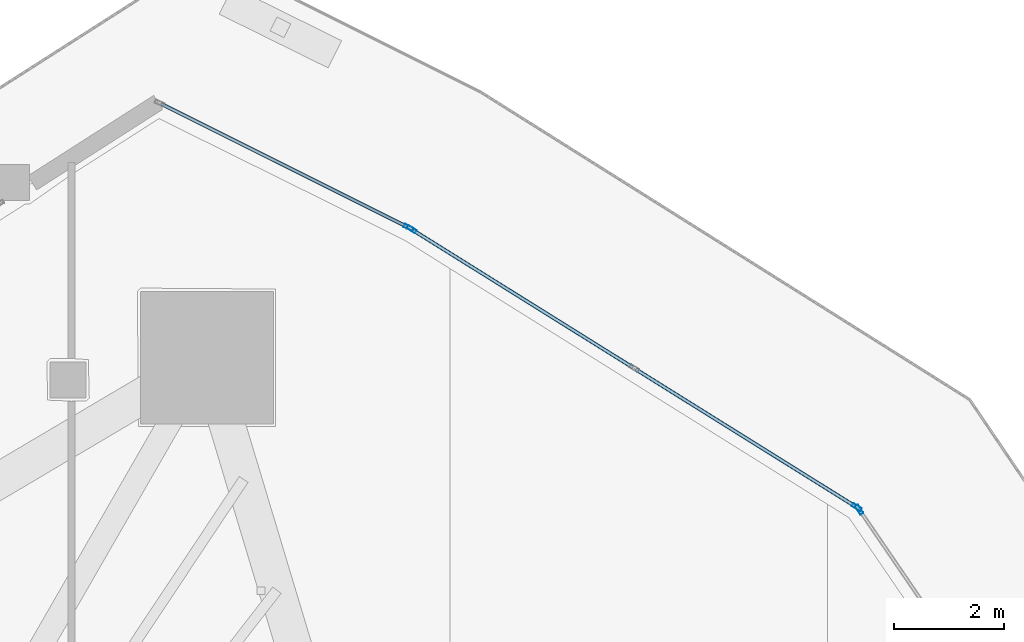
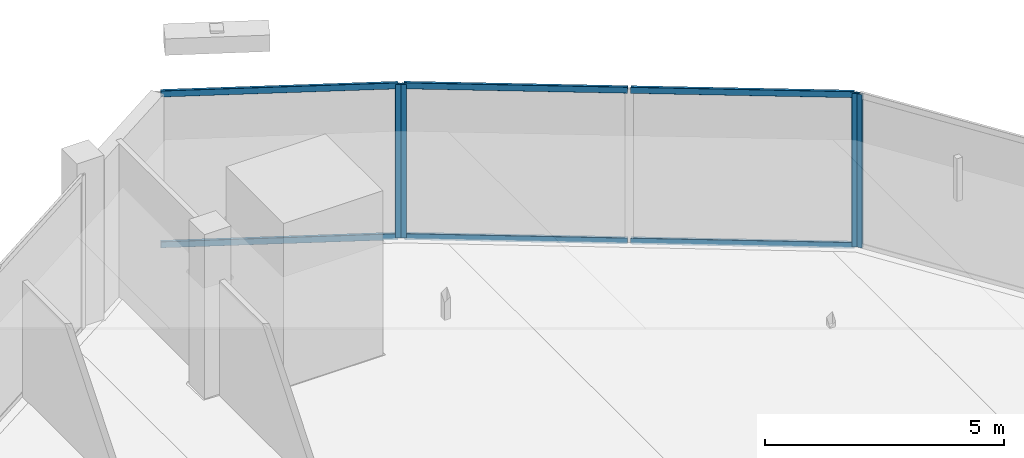
# One storey, part 25 of 46: 10 members, 3 elements without a shape of their own.
"""IFC4 building model written with IfcOpenShell, lengths in metres."""

from ifc_helpers import new_model, si_unit, direction, frame, origin, origin_2d, place, context, subcontext, project, spatial, hollow_rectangle, extrude, material, layer, layer_set, material_profile, profile_set, type_object, element, aggregate, save


model = new_model("IFC4")

# Units and contexts
model_context = context("Model", 3, precision=1e-05, world=origin(), true_north=direction((0.0, 1.0)))
body_context = subcontext(model_context, "Body", "Model", "MODEL_VIEW")
ifc_project = project(units=[si_unit("LENGTHUNIT", "METRE"), si_unit("AREAUNIT", "SQUARE_METRE"), si_unit("VOLUMEUNIT", "CUBIC_METRE"), si_unit("PLANEANGLEUNIT", "RADIAN"), si_unit("MASSUNIT", "GRAM", prefix="KILO")], contexts=[model_context])

# Site, building, storey
site_placement = place(None, origin())
site = spatial("IfcSite", under=ifc_project, at=site_placement, CompositionType="ELEMENT")
building_placement = place(site_placement, origin())
building = spatial("IfcBuilding", under=site, at=building_placement, Name="Qorvath Tower", CompositionType="ELEMENT")
storey_placement = place(building_placement, frame((0.0, 0.0, 87.0)))
storey = spatial("IfcBuildingStorey", under=building, at=storey_placement, Name="L19", CompositionType="ELEMENT", Elevation=87.0)

# Curtain wall, member
ifc_material_1 = material(Name="Anodised aluminium and triple low-E glass", Category="aluminium")
ifc_layer = layer(ifc_material_1, 0.179931640625)
ifc_layer_set = layer_set([ifc_layer], Name="CW-SYS-2")
curtain_wall_type = type_object("IfcCurtainWallType", Name="CW-SYS-2", PredefinedType="NOTDEFINED", material=ifc_layer_set)
curtain_wall_1_placement = place(storey_placement, origin())
curtain_wall_1 = element("IfcCurtainWall", 1, at=curtain_wall_1_placement, inside=storey, type_object=curtain_wall_type, Name="Curtain Wall CW-2 CW-T-L19-13.1", PredefinedType="NOTDEFINED")
ifc_material_2 = material(Name="Anodised aluminium 6063-T6", Category="aluminium")
ifc_material_profile_1 = material_profile(ifc_material_2, hollow_rectangle(XDim=0.06494140625, YDim=0.179931640625, WallThickness=0.00341796875, InnerFilletRadius=0.00341796875, OuterFilletRadius=0.007080078125, at=origin_2d()), Name="CWM 180x65")
ifc_profile_set_1 = profile_set([ifc_material_profile_1], Name="Anodised aluminium 6063-T6")
member_type_1 = type_object("IfcMemberType", Name="CWM-180", PredefinedType="MULLION", material=ifc_profile_set_1)
member_1_placement = place(storey_placement, frame((-2.65087890625, 24.5771484375, 0.0), z_axis=(0.0, 0.0, 1.0), x_axis=(-0.825750255931, -0.564035916259, 0.0)))
member_1 = element("IfcMember", 2, at=member_1_placement, type_object=member_type_1, Name="CW-2 mullion 2", PredefinedType="MULLION", context=body_context, shape_type="SweptSolid", body=[
    extrude(hollow_rectangle(XDim=0.06494140625, YDim=0.179931640625, WallThickness=0.00341796875, InnerFilletRadius=0.00341796875, OuterFilletRadius=0.007080078125, at=origin_2d()), origin(), (0.0, 0.0, 1.0), 3.919921875),
])
aggregate(curtain_wall_1, [member_1])

# Curtain wall, members
curtain_wall_2_placement = place(storey_placement, origin())
curtain_wall_2 = element("IfcCurtainWall", 3, at=curtain_wall_2_placement, inside=storey, type_object=curtain_wall_type, Name="Curtain Wall CW-2 CW-T-L19-14.1", PredefinedType="NOTDEFINED")
member_2_placement = place(storey_placement, frame((-2.69677734375, 24.62109375, 0.0), z_axis=(0.0, 0.0, 1.0), x_axis=(-0.529624942243, -0.848231937947, 0.0)))
member_2 = element("IfcMember", 4, at=member_2_placement, type_object=member_type_1, Name="CW-2 mullion 1", PredefinedType="MULLION", context=body_context, shape_type="SweptSolid", body=[
    extrude(hollow_rectangle(XDim=0.06494140625, YDim=0.179931640625, WallThickness=0.00341796875, InnerFilletRadius=0.00341796875, OuterFilletRadius=0.007080078125, at=origin_2d()), origin(), (0.0, 0.0, 1.0), 3.919921875),
])
member_3_placement = place(storey_placement, frame((-10.756591796875, 29.65380859375, 0.0), z_axis=(0.0, 0.0, 1.0), x_axis=(-0.529624942243, -0.848231937947, 0.0)))
member_3 = element("IfcMember", 5, at=member_3_placement, type_object=member_type_1, Name="CW-2 mullion 3", PredefinedType="MULLION", context=body_context, shape_type="SweptSolid", body=[
    extrude(hollow_rectangle(XDim=0.06494140625, YDim=0.179931640625, WallThickness=0.00341796875, InnerFilletRadius=0.00341796875, OuterFilletRadius=0.007080078125, at=origin_2d()), origin(), (0.0, 0.0, 1.0), 3.919921875),
])

# Curtain wall, member
curtain_wall_3_placement = place(storey_placement, origin())
curtain_wall_3 = element("IfcCurtainWall", 6, at=curtain_wall_3_placement, inside=storey, type_object=curtain_wall_type, Name="Curtain Wall CW-2 CW-T-L19-15.1", PredefinedType="NOTDEFINED")
member_4_placement = place(storey_placement, frame((-10.813232421875, 29.685546875, 0.0), z_axis=(0.0, 0.0, 1.0), x_axis=(-0.447190081713, -0.894438947507, 0.0)))
member_4 = element("IfcMember", 7, at=member_4_placement, type_object=member_type_1, Name="CW-2 mullion 1", PredefinedType="MULLION", context=body_context, shape_type="SweptSolid", body=[
    extrude(hollow_rectangle(XDim=0.06494140625, YDim=0.179931640625, WallThickness=0.00341796875, InnerFilletRadius=0.00341796875, OuterFilletRadius=0.007080078125, at=origin_2d()), origin(), (0.0, 0.0, 1.0), 3.919921875),
])

# Member
ifc_material_3 = material(Name="Anodised aluminium 6063-T6", Category="aluminium")
ifc_material_profile_2 = material_profile(ifc_material_3, hollow_rectangle(XDim=0.06494140625, YDim=0.159912109375, WallThickness=0.00341796875, InnerFilletRadius=0.00341796875, OuterFilletRadius=0.007080078125, at=origin_2d()), Name="CWT 160x65")
ifc_profile_set_2 = profile_set([ifc_material_profile_2], Name="Anodised aluminium 6063-T6")
member_type_2 = type_object("IfcMemberType", Name="CWT-160", PredefinedType="USERDEFINED", material=ifc_profile_set_2)
member_5_placement = place(storey_placement, frame((-2.724365234375, 24.638427734375, 0.032470703125), z_axis=(-0.848247004733, 0.529600810952, 0.0), x_axis=(-0.529600810952, -0.848247004733, 0.0)))
member_5 = element("IfcMember", 8, at=member_5_placement, type_object=member_type_2, Name="CW-2 transom 1.1", ObjectType="TRANSOM", PredefinedType="USERDEFINED", context=body_context, shape_type="SweptSolid", body=[
    extrude(hollow_rectangle(XDim=0.06494140625, YDim=0.159912109375, WallThickness=0.00341796875, InnerFilletRadius=0.00341796875, OuterFilletRadius=0.007080078125, at=origin_2d()), origin(), (0.0, 0.0, 1.0), 4.68603515625),
])

member_6_placement = place(storey_placement, frame((-2.724365234375, 24.638427734375, 3.887451171875), z_axis=(-0.848247004733, 0.529600810952, 0.0), x_axis=(-0.529600810952, -0.848247004733, 0.0)))
member_6 = element("IfcMember", 9, at=member_6_placement, type_object=member_type_2, Name="CW-2 transom 1.2", ObjectType="TRANSOM", PredefinedType="USERDEFINED", context=body_context, shape_type="SweptSolid", body=[
    extrude(hollow_rectangle(XDim=0.06494140625, YDim=0.159912109375, WallThickness=0.00341796875, InnerFilletRadius=0.00341796875, OuterFilletRadius=0.007080078125, at=origin_2d()), origin(), (0.0, 0.0, 1.0), 4.68603515625),
])

member_7_placement = place(storey_placement, frame((-6.754150390625, 27.154541015625, 0.032470703125), z_axis=(-0.848223599357, 0.529638296853, 0.0), x_axis=(-0.529638296853, -0.848223599357, 0.0)))
member_7 = element("IfcMember", 10, at=member_7_placement, type_object=member_type_2, Name="CW-2 transom 2.1", ObjectType="TRANSOM", PredefinedType="USERDEFINED", context=body_context, shape_type="SweptSolid", body=[
    extrude(hollow_rectangle(XDim=0.06494140625, YDim=0.159912109375, WallThickness=0.00341796875, InnerFilletRadius=0.00341796875, OuterFilletRadius=0.007080078125, at=origin_2d()), origin(), (0.0, 0.0, 1.0), 4.68603515625),
])

member_8_placement = place(storey_placement, frame((-6.754150390625, 27.154541015625, 3.887451171875), z_axis=(-0.848223599357, 0.529638296853, 0.0), x_axis=(-0.529638296853, -0.848223599357, 0.0)))
member_8 = element("IfcMember", 11, at=member_8_placement, type_object=member_type_2, Name="CW-2 transom 2.2", ObjectType="TRANSOM", PredefinedType="USERDEFINED", context=body_context, shape_type="SweptSolid", body=[
    extrude(hollow_rectangle(XDim=0.06494140625, YDim=0.159912109375, WallThickness=0.00341796875, InnerFilletRadius=0.00341796875, OuterFilletRadius=0.007080078125, at=origin_2d()), origin(), (0.0, 0.0, 1.0), 4.68603515625),
])

aggregate(curtain_wall_2, [member_2, member_3, member_5, member_6, member_7, member_8])

member_9_placement = place(storey_placement, frame((-10.84228515625, 29.699951171875, 0.032470703125), z_axis=(-0.894437008434, 0.447193960092, 0.0), x_axis=(-0.447193960092, -0.894437008434, 0.0)))
member_9 = element("IfcMember", 12, at=member_9_placement, type_object=member_type_2, Name="CW-2 transom 1.1", ObjectType="TRANSOM", PredefinedType="USERDEFINED", context=body_context, shape_type="SweptSolid", body=[
    extrude(hollow_rectangle(XDim=0.06494140625, YDim=0.159912109375, WallThickness=0.00341796875, InnerFilletRadius=0.00341796875, OuterFilletRadius=0.007080078125, at=origin_2d()), origin(), (0.0, 0.0, 1.0), 4.973388671875),
])

member_10_placement = place(storey_placement, frame((-10.84228515625, 29.699951171875, 3.887451171875), z_axis=(-0.894437008434, 0.447193960092, 0.0), x_axis=(-0.447193960092, -0.894437008434, 0.0)))
member_10 = element("IfcMember", 13, at=member_10_placement, type_object=member_type_2, Name="CW-2 transom 1.2", ObjectType="TRANSOM", PredefinedType="USERDEFINED", context=body_context, shape_type="SweptSolid", body=[
    extrude(hollow_rectangle(XDim=0.06494140625, YDim=0.159912109375, WallThickness=0.00341796875, InnerFilletRadius=0.00341796875, OuterFilletRadius=0.007080078125, at=origin_2d()), origin(), (0.0, 0.0, 1.0), 4.973388671875),
])

aggregate(curtain_wall_3, [member_4, member_9, member_10])

save(model, "model.ifc")
